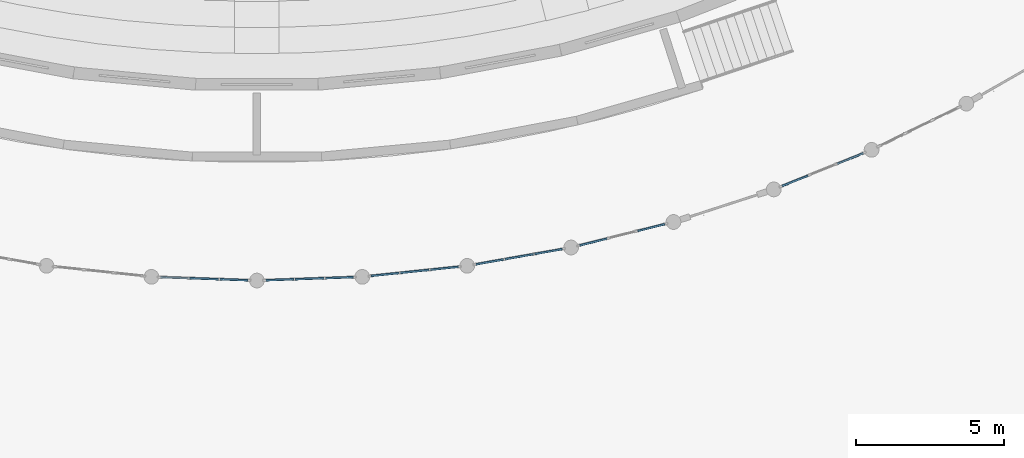
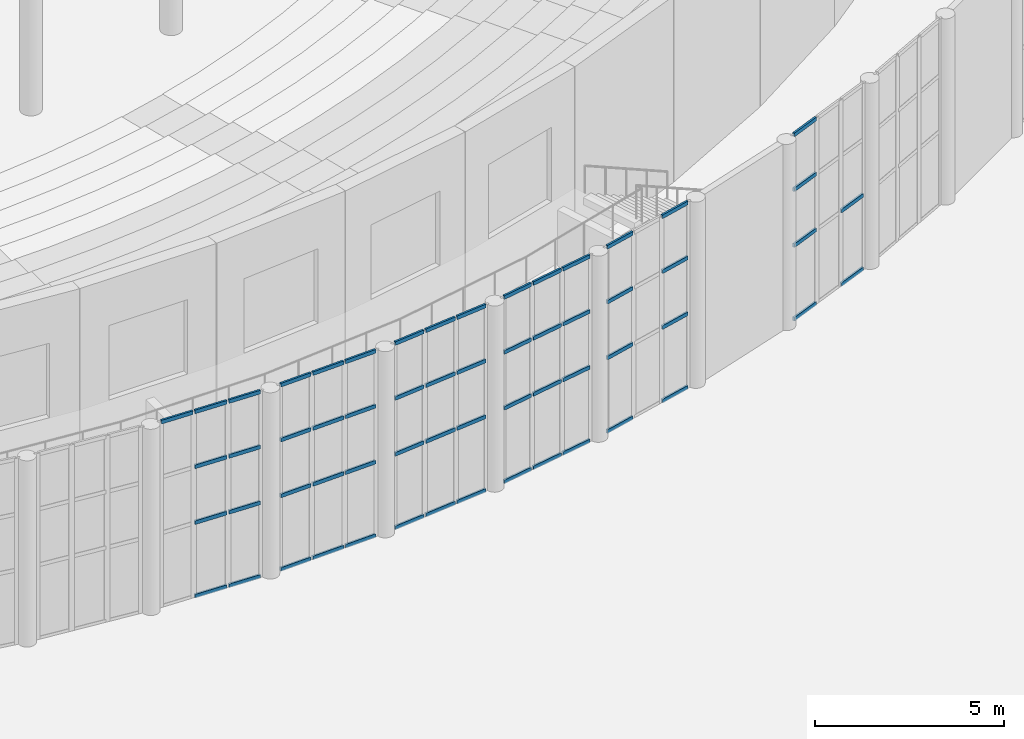
# One storey, part 75 of 210: 59 members, 6 elements without a shape of their own.
"""IFC4 building model written with IfcOpenShell, lengths in metres."""

from ifc_helpers import new_model, si_unit, direction, frame, origin, origin_2d, place, context, subcontext, project, spatial, rectangle, extrude, material, layer, layer_set, material_profile, profile_set, type_object, element, aggregate, save


model = new_model("IFC4")

# Units and contexts
model_context = context("Model", 3, precision=1e-05, world=origin(), true_north=direction((0.0, 1.0)))
body_context = subcontext(model_context, "Body", "Model", "MODEL_VIEW")
ifc_project = project(units=[si_unit("LENGTHUNIT", "METRE"), si_unit("AREAUNIT", "SQUARE_METRE"), si_unit("VOLUMEUNIT", "CUBIC_METRE"), si_unit("PLANEANGLEUNIT", "RADIAN"), si_unit("MASSUNIT", "GRAM", prefix="KILO")], contexts=[model_context])

# Site, building, storey
site_placement = place(None, origin())
site = spatial("IfcSite", under=ifc_project, at=site_placement, CompositionType="ELEMENT")
building_placement = place(site_placement, origin())
building = spatial("IfcBuilding", under=site, at=building_placement, Name="Rain Tree Exposition and Congress Centre", CompositionType="ELEMENT")
storey_placement = place(building_placement, origin())
storey = spatial("IfcBuildingStorey", under=building, at=storey_placement, Name="L00", CompositionType="ELEMENT", Elevation=0.0)

# Curtain wall, members
ifc_material_1 = material(Name="Aluminium", Category="aluminium")
ifc_layer = layer(ifc_material_1, 0.10009765625)
ifc_layer_set = layer_set([ifc_layer], Name="Aluminium")
curtain_wall_type = type_object("IfcCurtainWallType", Name="Curtain wall congress", PredefinedType="NOTDEFINED", material=ifc_layer_set)
curtain_wall_1_placement = place(storey_placement, origin())
curtain_wall_1 = element("IfcCurtainWall", 1, at=curtain_wall_1_placement, inside=storey, type_object=curtain_wall_type, Name="Curtain wall L00 bay 10", PredefinedType="NOTDEFINED")
ifc_material_2 = material(Name="Aluminium", Category="aluminium")
ifc_material_profile = material_profile(ifc_material_2, rectangle(XDim=0.06005859375, YDim=0.1201171875, at=origin_2d()), Name="AL 60x120")
ifc_profile_set = profile_set([ifc_material_profile], Name="Aluminium")
member_type = type_object("IfcMemberType", Name="Curtain wall transom 60x120 congress", PredefinedType="USERDEFINED", material=ifc_profile_set)
member_1_placement = place(storey_placement, frame((198.33837890625, 16.114013671875, 5.969970703125), z_axis=(0.999386919937, -0.035011201901, 0.0), x_axis=(0.035011201901, 0.999386919937, 0.0)))
member_1 = element("IfcMember", 2, at=member_1_placement, type_object=member_type, Name="CWG110 transom 1.4", ObjectType="TRANSOM", PredefinedType="USERDEFINED", context=body_context, shape_type="SweptSolid", body=[
    extrude(rectangle(XDim=0.06005859375, YDim=0.1201171875, at=origin_2d()), origin(), (0.0, 0.0, 1.0), 0.934326171875),
])
member_2_placement = place(storey_placement, frame((199.332275390625, 16.0791015625, 0.030029296875), z_axis=(0.999389653944, -0.03493307301, 0.0), x_axis=(0.03493307301, 0.999389653944, 0.0)))
member_2 = element("IfcMember", 3, at=member_2_placement, type_object=member_type, Name="CWG110 transom 2.1", ObjectType="TRANSOM", PredefinedType="USERDEFINED", context=body_context, shape_type="SweptSolid", body=[
    extrude(rectangle(XDim=0.06005859375, YDim=0.1201171875, at=origin_2d()), origin(), (0.0, 0.0, 1.0), 0.96435546875),
])
member_3_placement = place(storey_placement, frame((199.332275390625, 16.0791015625, 2.39990234375), z_axis=(0.999389653944, -0.03493307301, 0.0), x_axis=(0.03493307301, 0.999389653944, 0.0)))
member_3 = element("IfcMember", 4, at=member_3_placement, type_object=member_type, Name="CWG110 transom 2.2", ObjectType="TRANSOM", PredefinedType="USERDEFINED", context=body_context, shape_type="SweptSolid", body=[
    extrude(rectangle(XDim=0.06005859375, YDim=0.1201171875, at=origin_2d()), origin(), (0.0, 0.0, 1.0), 0.96435546875),
])
member_4_placement = place(storey_placement, frame((199.332275390625, 16.0791015625, 4.199951171875), z_axis=(0.999389653944, -0.03493307301, 0.0), x_axis=(0.03493307301, 0.999389653944, 0.0)))
member_4 = element("IfcMember", 5, at=member_4_placement, type_object=member_type, Name="CWG110 transom 2.3", ObjectType="TRANSOM", PredefinedType="USERDEFINED", context=body_context, shape_type="SweptSolid", body=[
    extrude(rectangle(XDim=0.06005859375, YDim=0.1201171875, at=origin_2d()), origin(), (0.0, 0.0, 1.0), 0.96435546875),
])
member_5_placement = place(storey_placement, frame((199.332275390625, 16.0791015625, 5.969970703125), z_axis=(0.999389653944, -0.03493307301, 0.0), x_axis=(0.03493307301, 0.999389653944, 0.0)))
member_5 = element("IfcMember", 6, at=member_5_placement, type_object=member_type, Name="CWG110 transom 2.4", ObjectType="TRANSOM", PredefinedType="USERDEFINED", context=body_context, shape_type="SweptSolid", body=[
    extrude(rectangle(XDim=0.06005859375, YDim=0.1201171875, at=origin_2d()), origin(), (0.0, 0.0, 1.0), 0.96435546875),
])
member_6_placement = place(storey_placement, frame((200.356201171875, 16.04345703125, 0.030029296875), z_axis=(0.999387240082, -0.035002062251, 0.0), x_axis=(0.035002062251, 0.999387240082, 0.0)))
member_6 = element("IfcMember", 7, at=member_6_placement, type_object=member_type, Name="CWG110 transom 3.1", ObjectType="TRANSOM", PredefinedType="USERDEFINED", context=body_context, shape_type="SweptSolid", body=[
    extrude(rectangle(XDim=0.06005859375, YDim=0.1201171875, at=origin_2d()), origin(), (0.0, 0.0, 1.0), 0.9345703125),
])
member_7_placement = place(storey_placement, frame((200.356201171875, 16.04345703125, 2.39990234375), z_axis=(0.999387240082, -0.035002062251, 0.0), x_axis=(0.035002062251, 0.999387240082, 0.0)))
member_7 = element("IfcMember", 8, at=member_7_placement, type_object=member_type, Name="CWG110 transom 3.2", ObjectType="TRANSOM", PredefinedType="USERDEFINED", context=body_context, shape_type="SweptSolid", body=[
    extrude(rectangle(XDim=0.06005859375, YDim=0.1201171875, at=origin_2d()), origin(), (0.0, 0.0, 1.0), 0.9345703125),
])
member_8_placement = place(storey_placement, frame((200.356201171875, 16.04345703125, 4.199951171875), z_axis=(0.999387240082, -0.035002062251, 0.0), x_axis=(0.035002062251, 0.999387240082, 0.0)))
member_8 = element("IfcMember", 9, at=member_8_placement, type_object=member_type, Name="CWG110 transom 3.3", ObjectType="TRANSOM", PredefinedType="USERDEFINED", context=body_context, shape_type="SweptSolid", body=[
    extrude(rectangle(XDim=0.06005859375, YDim=0.1201171875, at=origin_2d()), origin(), (0.0, 0.0, 1.0), 0.9345703125),
])
member_9_placement = place(storey_placement, frame((200.356201171875, 16.04345703125, 5.969970703125), z_axis=(0.999387240082, -0.035002062251, 0.0), x_axis=(0.035002062251, 0.999387240082, 0.0)))
member_9 = element("IfcMember", 10, at=member_9_placement, type_object=member_type, Name="CWG110 transom 3.4", ObjectType="TRANSOM", PredefinedType="USERDEFINED", context=body_context, shape_type="SweptSolid", body=[
    extrude(rectangle(XDim=0.06005859375, YDim=0.1201171875, at=origin_2d()), origin(), (0.0, 0.0, 1.0), 0.9345703125),
])
aggregate(curtain_wall_1, [member_1, member_2, member_3, member_4, member_5, member_6, member_7, member_8, member_9])

curtain_wall_2_placement = place(storey_placement, origin())
curtain_wall_2 = element("IfcCurtainWall", 11, at=curtain_wall_2_placement, inside=storey, type_object=curtain_wall_type, Name="Curtain wall L00 bay 11", PredefinedType="NOTDEFINED")
member_10_placement = place(storey_placement, frame((201.90966796875, 16.0107421875, 0.030029296875), z_axis=(0.999387240082, 0.035002062251, 0.0), x_axis=(-0.035002062251, 0.999387240082, 0.0)))
member_10 = element("IfcMember", 12, at=member_10_placement, type_object=member_type, Name="CWG111 transom 1.1", ObjectType="TRANSOM", PredefinedType="USERDEFINED", context=body_context, shape_type="SweptSolid", body=[
    extrude(rectangle(XDim=0.06005859375, YDim=0.1201171875, at=origin_2d()), origin(), (0.0, 0.0, 1.0), 0.9345703125),
])
member_11_placement = place(storey_placement, frame((201.90966796875, 16.0107421875, 2.39990234375), z_axis=(0.999387240082, 0.035002062251, 0.0), x_axis=(-0.035002062251, 0.999387240082, 0.0)))
member_11 = element("IfcMember", 13, at=member_11_placement, type_object=member_type, Name="CWG111 transom 1.2", ObjectType="TRANSOM", PredefinedType="USERDEFINED", context=body_context, shape_type="SweptSolid", body=[
    extrude(rectangle(XDim=0.06005859375, YDim=0.1201171875, at=origin_2d()), origin(), (0.0, 0.0, 1.0), 0.9345703125),
])
member_12_placement = place(storey_placement, frame((201.90966796875, 16.0107421875, 4.199951171875), z_axis=(0.999387240082, 0.035002062251, 0.0), x_axis=(-0.035002062251, 0.999387240082, 0.0)))
member_12 = element("IfcMember", 14, at=member_12_placement, type_object=member_type, Name="CWG111 transom 1.3", ObjectType="TRANSOM", PredefinedType="USERDEFINED", context=body_context, shape_type="SweptSolid", body=[
    extrude(rectangle(XDim=0.06005859375, YDim=0.1201171875, at=origin_2d()), origin(), (0.0, 0.0, 1.0), 0.9345703125),
])
member_13_placement = place(storey_placement, frame((201.90966796875, 16.0107421875, 5.969970703125), z_axis=(0.999387240082, 0.035002062251, 0.0), x_axis=(-0.035002062251, 0.999387240082, 0.0)))
member_13 = element("IfcMember", 15, at=member_13_placement, type_object=member_type, Name="CWG111 transom 1.4", ObjectType="TRANSOM", PredefinedType="USERDEFINED", context=body_context, shape_type="SweptSolid", body=[
    extrude(rectangle(XDim=0.06005859375, YDim=0.1201171875, at=origin_2d()), origin(), (0.0, 0.0, 1.0), 0.9345703125),
])
member_14_placement = place(storey_placement, frame((202.90380859375, 16.04541015625, 0.030029296875), z_axis=(0.999389653944, 0.03493307301, 0.0), x_axis=(-0.03493307301, 0.999389653944, 0.0)))
member_14 = element("IfcMember", 16, at=member_14_placement, type_object=member_type, Name="CWG111 transom 2.1", ObjectType="TRANSOM", PredefinedType="USERDEFINED", context=body_context, shape_type="SweptSolid", body=[
    extrude(rectangle(XDim=0.06005859375, YDim=0.1201171875, at=origin_2d()), origin(), (0.0, 0.0, 1.0), 0.96435546875),
])
member_15_placement = place(storey_placement, frame((202.90380859375, 16.04541015625, 2.39990234375), z_axis=(0.999389653944, 0.03493307301, 0.0), x_axis=(-0.03493307301, 0.999389653944, 0.0)))
member_15 = element("IfcMember", 17, at=member_15_placement, type_object=member_type, Name="CWG111 transom 2.2", ObjectType="TRANSOM", PredefinedType="USERDEFINED", context=body_context, shape_type="SweptSolid", body=[
    extrude(rectangle(XDim=0.06005859375, YDim=0.1201171875, at=origin_2d()), origin(), (0.0, 0.0, 1.0), 0.96435546875),
])
member_16_placement = place(storey_placement, frame((202.90380859375, 16.04541015625, 4.199951171875), z_axis=(0.999389653944, 0.03493307301, 0.0), x_axis=(-0.03493307301, 0.999389653944, 0.0)))
member_16 = element("IfcMember", 18, at=member_16_placement, type_object=member_type, Name="CWG111 transom 2.3", ObjectType="TRANSOM", PredefinedType="USERDEFINED", context=body_context, shape_type="SweptSolid", body=[
    extrude(rectangle(XDim=0.06005859375, YDim=0.1201171875, at=origin_2d()), origin(), (0.0, 0.0, 1.0), 0.96435546875),
])
member_17_placement = place(storey_placement, frame((202.90380859375, 16.04541015625, 5.969970703125), z_axis=(0.999389653944, 0.03493307301, 0.0), x_axis=(-0.03493307301, 0.999389653944, 0.0)))
member_17 = element("IfcMember", 19, at=member_17_placement, type_object=member_type, Name="CWG111 transom 2.4", ObjectType="TRANSOM", PredefinedType="USERDEFINED", context=body_context, shape_type="SweptSolid", body=[
    extrude(rectangle(XDim=0.06005859375, YDim=0.1201171875, at=origin_2d()), origin(), (0.0, 0.0, 1.0), 0.96435546875),
])
member_18_placement = place(storey_placement, frame((203.927734375, 16.081298828125, 0.030029296875), z_axis=(0.999387240082, 0.035002062251, 0.0), x_axis=(-0.035002062251, 0.999387240082, 0.0)))
member_18 = element("IfcMember", 20, at=member_18_placement, type_object=member_type, Name="CWG111 transom 3.1", ObjectType="TRANSOM", PredefinedType="USERDEFINED", context=body_context, shape_type="SweptSolid", body=[
    extrude(rectangle(XDim=0.06005859375, YDim=0.1201171875, at=origin_2d()), origin(), (0.0, 0.0, 1.0), 0.9345703125),
])
member_19_placement = place(storey_placement, frame((203.927734375, 16.081298828125, 2.39990234375), z_axis=(0.999387240082, 0.035002062251, 0.0), x_axis=(-0.035002062251, 0.999387240082, 0.0)))
member_19 = element("IfcMember", 21, at=member_19_placement, type_object=member_type, Name="CWG111 transom 3.2", ObjectType="TRANSOM", PredefinedType="USERDEFINED", context=body_context, shape_type="SweptSolid", body=[
    extrude(rectangle(XDim=0.06005859375, YDim=0.1201171875, at=origin_2d()), origin(), (0.0, 0.0, 1.0), 0.9345703125),
])
member_20_placement = place(storey_placement, frame((203.927734375, 16.081298828125, 4.199951171875), z_axis=(0.999387240082, 0.035002062251, 0.0), x_axis=(-0.035002062251, 0.999387240082, 0.0)))
member_20 = element("IfcMember", 22, at=member_20_placement, type_object=member_type, Name="CWG111 transom 3.3", ObjectType="TRANSOM", PredefinedType="USERDEFINED", context=body_context, shape_type="SweptSolid", body=[
    extrude(rectangle(XDim=0.06005859375, YDim=0.1201171875, at=origin_2d()), origin(), (0.0, 0.0, 1.0), 0.9345703125),
])
member_21_placement = place(storey_placement, frame((203.927734375, 16.081298828125, 5.969970703125), z_axis=(0.999387240082, 0.035002062251, 0.0), x_axis=(-0.035002062251, 0.999387240082, 0.0)))
member_21 = element("IfcMember", 23, at=member_21_placement, type_object=member_type, Name="CWG111 transom 3.4", ObjectType="TRANSOM", PredefinedType="USERDEFINED", context=body_context, shape_type="SweptSolid", body=[
    extrude(rectangle(XDim=0.06005859375, YDim=0.1201171875, at=origin_2d()), origin(), (0.0, 0.0, 1.0), 0.9345703125),
])
aggregate(curtain_wall_2, [member_10, member_11, member_12, member_13, member_14, member_15, member_16, member_17, member_18, member_19, member_20, member_21])

curtain_wall_3_placement = place(storey_placement, origin())
curtain_wall_3 = element("IfcCurtainWall", 24, at=curtain_wall_3_placement, inside=storey, type_object=curtain_wall_type, Name="Curtain wall L00 bay 12", PredefinedType="NOTDEFINED")
member_22_placement = place(storey_placement, frame((205.47998046875, 16.1572265625, 0.030029296875), z_axis=(0.994522621152, 0.104521557662, 0.0), x_axis=(-0.104521557662, 0.994522621152, 0.0)))
member_22 = element("IfcMember", 25, at=member_22_placement, type_object=member_type, Name="CWG112 transom 1.1", ObjectType="TRANSOM", PredefinedType="USERDEFINED", context=body_context, shape_type="SweptSolid", body=[
    extrude(rectangle(XDim=0.06005859375, YDim=0.1201171875, at=origin_2d()), origin(), (0.0, 0.0, 1.0), 0.934326171875),
])
member_23_placement = place(storey_placement, frame((205.47998046875, 16.1572265625, 2.39990234375), z_axis=(0.994522621152, 0.104521557662, 0.0), x_axis=(-0.104521557662, 0.994522621152, 0.0)))
member_23 = element("IfcMember", 26, at=member_23_placement, type_object=member_type, Name="CWG112 transom 1.2", ObjectType="TRANSOM", PredefinedType="USERDEFINED", context=body_context, shape_type="SweptSolid", body=[
    extrude(rectangle(XDim=0.06005859375, YDim=0.1201171875, at=origin_2d()), origin(), (0.0, 0.0, 1.0), 0.934326171875),
])
member_24_placement = place(storey_placement, frame((205.47998046875, 16.1572265625, 4.199951171875), z_axis=(0.994522621152, 0.104521557662, 0.0), x_axis=(-0.104521557662, 0.994522621152, 0.0)))
member_24 = element("IfcMember", 27, at=member_24_placement, type_object=member_type, Name="CWG112 transom 1.3", ObjectType="TRANSOM", PredefinedType="USERDEFINED", context=body_context, shape_type="SweptSolid", body=[
    extrude(rectangle(XDim=0.06005859375, YDim=0.1201171875, at=origin_2d()), origin(), (0.0, 0.0, 1.0), 0.934326171875),
])
member_25_placement = place(storey_placement, frame((205.47998046875, 16.1572265625, 5.969970703125), z_axis=(0.994522621152, 0.104521557662, 0.0), x_axis=(-0.104521557662, 0.994522621152, 0.0)))
member_25 = element("IfcMember", 28, at=member_25_placement, type_object=member_type, Name="CWG112 transom 1.4", ObjectType="TRANSOM", PredefinedType="USERDEFINED", context=body_context, shape_type="SweptSolid", body=[
    extrude(rectangle(XDim=0.06005859375, YDim=0.1201171875, at=origin_2d()), origin(), (0.0, 0.0, 1.0), 0.934326171875),
])
member_26_placement = place(storey_placement, frame((206.468994140625, 16.260986328125, 0.030029296875), z_axis=(0.994520699095, 0.10453984442, 0.0), x_axis=(-0.10453984442, 0.994520699095, 0.0)))
member_26 = element("IfcMember", 29, at=member_26_placement, type_object=member_type, Name="CWG112 transom 2.1", ObjectType="TRANSOM", PredefinedType="USERDEFINED", context=body_context, shape_type="SweptSolid", body=[
    extrude(rectangle(XDim=0.06005859375, YDim=0.1201171875, at=origin_2d()), origin(), (0.0, 0.0, 1.0), 0.964599609375),
])
member_27_placement = place(storey_placement, frame((206.468994140625, 16.260986328125, 2.39990234375), z_axis=(0.994520699095, 0.10453984442, 0.0), x_axis=(-0.10453984442, 0.994520699095, 0.0)))
member_27 = element("IfcMember", 30, at=member_27_placement, type_object=member_type, Name="CWG112 transom 2.2", ObjectType="TRANSOM", PredefinedType="USERDEFINED", context=body_context, shape_type="SweptSolid", body=[
    extrude(rectangle(XDim=0.06005859375, YDim=0.1201171875, at=origin_2d()), origin(), (0.0, 0.0, 1.0), 0.964599609375),
])
member_28_placement = place(storey_placement, frame((206.468994140625, 16.260986328125, 4.199951171875), z_axis=(0.994520699095, 0.10453984442, 0.0), x_axis=(-0.10453984442, 0.994520699095, 0.0)))
member_28 = element("IfcMember", 31, at=member_28_placement, type_object=member_type, Name="CWG112 transom 2.3", ObjectType="TRANSOM", PredefinedType="USERDEFINED", context=body_context, shape_type="SweptSolid", body=[
    extrude(rectangle(XDim=0.06005859375, YDim=0.1201171875, at=origin_2d()), origin(), (0.0, 0.0, 1.0), 0.964599609375),
])
member_29_placement = place(storey_placement, frame((206.468994140625, 16.260986328125, 5.969970703125), z_axis=(0.994520699095, 0.10453984442, 0.0), x_axis=(-0.10453984442, 0.994520699095, 0.0)))
member_29 = element("IfcMember", 32, at=member_29_placement, type_object=member_type, Name="CWG112 transom 2.4", ObjectType="TRANSOM", PredefinedType="USERDEFINED", context=body_context, shape_type="SweptSolid", body=[
    extrude(rectangle(XDim=0.06005859375, YDim=0.1201171875, at=origin_2d()), origin(), (0.0, 0.0, 1.0), 0.964599609375),
])
member_30_placement = place(storey_placement, frame((207.48779296875, 16.3681640625, 0.030029296875), z_axis=(0.994525474721, 0.104494402387, 0.0), x_axis=(-0.104494402387, 0.994525474721, 0.0)))
member_30 = element("IfcMember", 33, at=member_30_placement, type_object=member_type, Name="CWG112 transom 3.1", ObjectType="TRANSOM", PredefinedType="USERDEFINED", context=body_context, shape_type="SweptSolid", body=[
    extrude(rectangle(XDim=0.06005859375, YDim=0.1201171875, at=origin_2d()), origin(), (0.0, 0.0, 1.0), 0.9345703125),
])
member_31_placement = place(storey_placement, frame((207.48779296875, 16.3681640625, 2.39990234375), z_axis=(0.994525474721, 0.104494402387, 0.0), x_axis=(-0.104494402387, 0.994525474721, 0.0)))
member_31 = element("IfcMember", 34, at=member_31_placement, type_object=member_type, Name="CWG112 transom 3.2", ObjectType="TRANSOM", PredefinedType="USERDEFINED", context=body_context, shape_type="SweptSolid", body=[
    extrude(rectangle(XDim=0.06005859375, YDim=0.1201171875, at=origin_2d()), origin(), (0.0, 0.0, 1.0), 0.9345703125),
])
member_32_placement = place(storey_placement, frame((207.48779296875, 16.3681640625, 4.199951171875), z_axis=(0.994525474721, 0.104494402387, 0.0), x_axis=(-0.104494402387, 0.994525474721, 0.0)))
member_32 = element("IfcMember", 35, at=member_32_placement, type_object=member_type, Name="CWG112 transom 3.3", ObjectType="TRANSOM", PredefinedType="USERDEFINED", context=body_context, shape_type="SweptSolid", body=[
    extrude(rectangle(XDim=0.06005859375, YDim=0.1201171875, at=origin_2d()), origin(), (0.0, 0.0, 1.0), 0.9345703125),
])
member_33_placement = place(storey_placement, frame((207.48779296875, 16.3681640625, 5.969970703125), z_axis=(0.994525474721, 0.104494402387, 0.0), x_axis=(-0.104494402387, 0.994525474721, 0.0)))
member_33 = element("IfcMember", 36, at=member_33_placement, type_object=member_type, Name="CWG112 transom 3.4", ObjectType="TRANSOM", PredefinedType="USERDEFINED", context=body_context, shape_type="SweptSolid", body=[
    extrude(rectangle(XDim=0.06005859375, YDim=0.1201171875, at=origin_2d()), origin(), (0.0, 0.0, 1.0), 0.9345703125),
])
aggregate(curtain_wall_3, [member_22, member_23, member_24, member_25, member_26, member_27, member_28, member_29, member_30, member_31, member_32, member_33])

curtain_wall_4_placement = place(storey_placement, origin())
curtain_wall_4 = element("IfcCurtainWall", 37, at=curtain_wall_4_placement, inside=storey, type_object=curtain_wall_type, Name="Curtain wall L00 bay 13", PredefinedType="NOTDEFINED")
member_34_placement = place(storey_placement, frame((209.031005859375, 16.552001953125, 0.030029296875), z_axis=(0.984796704621, 0.173710824555, 0.0), x_axis=(-0.173710824555, 0.984796704621, 0.0)))
member_34 = element("IfcMember", 38, at=member_34_placement, type_object=member_type, Name="CWG113 transom 1.1", ObjectType="TRANSOM", PredefinedType="USERDEFINED", context=body_context, shape_type="SweptSolid", body=[
    extrude(rectangle(XDim=0.06005859375, YDim=0.1201171875, at=origin_2d()), origin(), (0.0, 0.0, 1.0), 0.9345703125),
])
member_35_placement = place(storey_placement, frame((209.031005859375, 16.552001953125, 2.39990234375), z_axis=(0.984796704621, 0.173710824555, 0.0), x_axis=(-0.173710824555, 0.984796704621, 0.0)))
member_35 = element("IfcMember", 39, at=member_35_placement, type_object=member_type, Name="CWG113 transom 1.2", ObjectType="TRANSOM", PredefinedType="USERDEFINED", context=body_context, shape_type="SweptSolid", body=[
    extrude(rectangle(XDim=0.06005859375, YDim=0.1201171875, at=origin_2d()), origin(), (0.0, 0.0, 1.0), 0.9345703125),
])
member_36_placement = place(storey_placement, frame((209.031005859375, 16.552001953125, 4.199951171875), z_axis=(0.984796704621, 0.173710824555, 0.0), x_axis=(-0.173710824555, 0.984796704621, 0.0)))
member_36 = element("IfcMember", 40, at=member_36_placement, type_object=member_type, Name="CWG113 transom 1.3", ObjectType="TRANSOM", PredefinedType="USERDEFINED", context=body_context, shape_type="SweptSolid", body=[
    extrude(rectangle(XDim=0.06005859375, YDim=0.1201171875, at=origin_2d()), origin(), (0.0, 0.0, 1.0), 0.9345703125),
])
member_37_placement = place(storey_placement, frame((209.031005859375, 16.552001953125, 5.969970703125), z_axis=(0.984796704621, 0.173710824555, 0.0), x_axis=(-0.173710824555, 0.984796704621, 0.0)))
member_37 = element("IfcMember", 41, at=member_37_placement, type_object=member_type, Name="CWG113 transom 1.4", ObjectType="TRANSOM", PredefinedType="USERDEFINED", context=body_context, shape_type="SweptSolid", body=[
    extrude(rectangle(XDim=0.06005859375, YDim=0.1201171875, at=origin_2d()), origin(), (0.0, 0.0, 1.0), 0.9345703125),
])
member_38_placement = place(storey_placement, frame((210.010498046875, 16.724853515625, 0.030029296875), z_axis=(0.984811573848, 0.173626507237, 0.0), x_axis=(-0.173626507237, 0.984811573848, 0.0)))
member_38 = element("IfcMember", 42, at=member_38_placement, type_object=member_type, Name="CWG113 transom 2.1", ObjectType="TRANSOM", PredefinedType="USERDEFINED", context=body_context, shape_type="SweptSolid", body=[
    extrude(rectangle(XDim=0.06005859375, YDim=0.1201171875, at=origin_2d()), origin(), (0.0, 0.0, 1.0), 0.964599609375),
])
member_39_placement = place(storey_placement, frame((210.010498046875, 16.724853515625, 2.39990234375), z_axis=(0.984811573848, 0.173626507237, 0.0), x_axis=(-0.173626507237, 0.984811573848, 0.0)))
member_39 = element("IfcMember", 43, at=member_39_placement, type_object=member_type, Name="CWG113 transom 2.2", ObjectType="TRANSOM", PredefinedType="USERDEFINED", context=body_context, shape_type="SweptSolid", body=[
    extrude(rectangle(XDim=0.06005859375, YDim=0.1201171875, at=origin_2d()), origin(), (0.0, 0.0, 1.0), 0.964599609375),
])
member_40_placement = place(storey_placement, frame((210.010498046875, 16.724853515625, 4.199951171875), z_axis=(0.984811573848, 0.173626507237, 0.0), x_axis=(-0.173626507237, 0.984811573848, 0.0)))
member_40 = element("IfcMember", 44, at=member_40_placement, type_object=member_type, Name="CWG113 transom 2.3", ObjectType="TRANSOM", PredefinedType="USERDEFINED", context=body_context, shape_type="SweptSolid", body=[
    extrude(rectangle(XDim=0.06005859375, YDim=0.1201171875, at=origin_2d()), origin(), (0.0, 0.0, 1.0), 0.964599609375),
])
member_41_placement = place(storey_placement, frame((210.010498046875, 16.724853515625, 5.969970703125), z_axis=(0.984811573848, 0.173626507237, 0.0), x_axis=(-0.173626507237, 0.984811573848, 0.0)))
member_41 = element("IfcMember", 45, at=member_41_placement, type_object=member_type, Name="CWG113 transom 2.4", ObjectType="TRANSOM", PredefinedType="USERDEFINED", context=body_context, shape_type="SweptSolid", body=[
    extrude(rectangle(XDim=0.06005859375, YDim=0.1201171875, at=origin_2d()), origin(), (0.0, 0.0, 1.0), 0.964599609375),
])
member_42_placement = place(storey_placement, frame((211.01953125, 16.902587890625, 0.030029296875), z_axis=(0.984788819169, 0.173755522618, 0.0), x_axis=(-0.173755522618, 0.984788819169, 0.0)))
member_42 = element("IfcMember", 46, at=member_42_placement, type_object=member_type, Name="CWG113 transom 3.1", ObjectType="TRANSOM", PredefinedType="USERDEFINED", context=body_context, shape_type="SweptSolid", body=[
    extrude(rectangle(XDim=0.06005859375, YDim=0.1201171875, at=origin_2d()), origin(), (0.0, 0.0, 1.0), 0.934326171875),
])
member_43_placement = place(storey_placement, frame((211.01953125, 16.902587890625, 2.39990234375), z_axis=(0.984788819169, 0.173755522618, 0.0), x_axis=(-0.173755522618, 0.984788819169, 0.0)))
member_43 = element("IfcMember", 47, at=member_43_placement, type_object=member_type, Name="CWG113 transom 3.2", ObjectType="TRANSOM", PredefinedType="USERDEFINED", context=body_context, shape_type="SweptSolid", body=[
    extrude(rectangle(XDim=0.06005859375, YDim=0.1201171875, at=origin_2d()), origin(), (0.0, 0.0, 1.0), 0.934326171875),
])
member_44_placement = place(storey_placement, frame((211.01953125, 16.902587890625, 4.199951171875), z_axis=(0.984788819169, 0.173755522618, 0.0), x_axis=(-0.173755522618, 0.984788819169, 0.0)))
member_44 = element("IfcMember", 48, at=member_44_placement, type_object=member_type, Name="CWG113 transom 3.3", ObjectType="TRANSOM", PredefinedType="USERDEFINED", context=body_context, shape_type="SweptSolid", body=[
    extrude(rectangle(XDim=0.06005859375, YDim=0.1201171875, at=origin_2d()), origin(), (0.0, 0.0, 1.0), 0.934326171875),
])
member_45_placement = place(storey_placement, frame((211.01953125, 16.902587890625, 5.969970703125), z_axis=(0.984788819169, 0.173755522618, 0.0), x_axis=(-0.173755522618, 0.984788819169, 0.0)))
member_45 = element("IfcMember", 49, at=member_45_placement, type_object=member_type, Name="CWG113 transom 3.4", ObjectType="TRANSOM", PredefinedType="USERDEFINED", context=body_context, shape_type="SweptSolid", body=[
    extrude(rectangle(XDim=0.06005859375, YDim=0.1201171875, at=origin_2d()), origin(), (0.0, 0.0, 1.0), 0.934326171875),
])
aggregate(curtain_wall_4, [member_34, member_35, member_36, member_37, member_38, member_39, member_40, member_41, member_42, member_43, member_44, member_45])

curtain_wall_5_placement = place(storey_placement, origin())
curtain_wall_5 = element("IfcCurtainWall", 50, at=curtain_wall_5_placement, inside=storey, type_object=curtain_wall_type, Name="Curtain wall L00 bay 14", PredefinedType="NOTDEFINED")
member_46_placement = place(storey_placement, frame((212.5458984375, 17.19384765625, 0.030029296875), z_axis=(0.970295984, 0.241920861923, 0.0), x_axis=(-0.241920861923, 0.970295984, 0.0)))
member_46 = element("IfcMember", 51, at=member_46_placement, type_object=member_type, Name="CWG114 transom 1.1", ObjectType="TRANSOM", PredefinedType="USERDEFINED", context=body_context, shape_type="SweptSolid", body=[
    extrude(rectangle(XDim=0.06005859375, YDim=0.1201171875, at=origin_2d()), origin(), (0.0, 0.0, 1.0), 0.9345703125),
])
member_47_placement = place(storey_placement, frame((212.5458984375, 17.19384765625, 2.39990234375), z_axis=(0.970295984, 0.241920861923, 0.0), x_axis=(-0.241920861923, 0.970295984, 0.0)))
member_47 = element("IfcMember", 52, at=member_47_placement, type_object=member_type, Name="CWG114 transom 1.2", ObjectType="TRANSOM", PredefinedType="USERDEFINED", context=body_context, shape_type="SweptSolid", body=[
    extrude(rectangle(XDim=0.06005859375, YDim=0.1201171875, at=origin_2d()), origin(), (0.0, 0.0, 1.0), 0.9345703125),
])
member_48_placement = place(storey_placement, frame((212.5458984375, 17.19384765625, 4.199951171875), z_axis=(0.970295984, 0.241920861923, 0.0), x_axis=(-0.241920861923, 0.970295984, 0.0)))
member_48 = element("IfcMember", 53, at=member_48_placement, type_object=member_type, Name="CWG114 transom 1.3", ObjectType="TRANSOM", PredefinedType="USERDEFINED", context=body_context, shape_type="SweptSolid", body=[
    extrude(rectangle(XDim=0.06005859375, YDim=0.1201171875, at=origin_2d()), origin(), (0.0, 0.0, 1.0), 0.9345703125),
])
member_49_placement = place(storey_placement, frame((212.5458984375, 17.19384765625, 5.969970703125), z_axis=(0.970295984, 0.241920861923, 0.0), x_axis=(-0.241920861923, 0.970295984, 0.0)))
member_49 = element("IfcMember", 54, at=member_49_placement, type_object=member_type, Name="CWG114 transom 1.4", ObjectType="TRANSOM", PredefinedType="USERDEFINED", context=body_context, shape_type="SweptSolid", body=[
    extrude(rectangle(XDim=0.06005859375, YDim=0.1201171875, at=origin_2d()), origin(), (0.0, 0.0, 1.0), 0.9345703125),
])
member_50_placement = place(storey_placement, frame((214.505126953125, 17.682373046875, 0.030029296875), z_axis=(0.970295984, 0.241920861923, 0.0), x_axis=(-0.241920861923, 0.970295984, 0.0)))
member_50 = element("IfcMember", 55, at=member_50_placement, type_object=member_type, Name="CWG114 transom 3.1", ObjectType="TRANSOM", PredefinedType="USERDEFINED", context=body_context, shape_type="SweptSolid", body=[
    extrude(rectangle(XDim=0.06005859375, YDim=0.1201171875, at=origin_2d()), origin(), (0.0, 0.0, 1.0), 0.9345703125),
])
member_51_placement = place(storey_placement, frame((214.505126953125, 17.682373046875, 2.39990234375), z_axis=(0.970295984, 0.241920861923, 0.0), x_axis=(-0.241920861923, 0.970295984, 0.0)))
member_51 = element("IfcMember", 56, at=member_51_placement, type_object=member_type, Name="CWG114 transom 3.2", ObjectType="TRANSOM", PredefinedType="USERDEFINED", context=body_context, shape_type="SweptSolid", body=[
    extrude(rectangle(XDim=0.06005859375, YDim=0.1201171875, at=origin_2d()), origin(), (0.0, 0.0, 1.0), 0.9345703125),
])
member_52_placement = place(storey_placement, frame((214.505126953125, 17.682373046875, 4.199951171875), z_axis=(0.970295984, 0.241920861923, 0.0), x_axis=(-0.241920861923, 0.970295984, 0.0)))
member_52 = element("IfcMember", 57, at=member_52_placement, type_object=member_type, Name="CWG114 transom 3.3", ObjectType="TRANSOM", PredefinedType="USERDEFINED", context=body_context, shape_type="SweptSolid", body=[
    extrude(rectangle(XDim=0.06005859375, YDim=0.1201171875, at=origin_2d()), origin(), (0.0, 0.0, 1.0), 0.9345703125),
])
member_53_placement = place(storey_placement, frame((214.505126953125, 17.682373046875, 5.969970703125), z_axis=(0.970295984, 0.241920861923, 0.0), x_axis=(-0.241920861923, 0.970295984, 0.0)))
member_53 = element("IfcMember", 58, at=member_53_placement, type_object=member_type, Name="CWG114 transom 3.4", ObjectType="TRANSOM", PredefinedType="USERDEFINED", context=body_context, shape_type="SweptSolid", body=[
    extrude(rectangle(XDim=0.06005859375, YDim=0.1201171875, at=origin_2d()), origin(), (0.0, 0.0, 1.0), 0.9345703125),
])
aggregate(curtain_wall_5, [member_46, member_47, member_48, member_49, member_50, member_51, member_52, member_53])

curtain_wall_6_placement = place(storey_placement, origin())
curtain_wall_6 = element("IfcCurtainWall", 59, at=curtain_wall_6_placement, inside=storey, type_object=curtain_wall_type, Name="Curtain wall L00 bay 16", PredefinedType="NOTDEFINED")
member_54_placement = place(storey_placement, frame((219.39892578125, 19.203857421875, 0.030029296875), z_axis=(0.927173788996, 0.374631505613, 0.0), x_axis=(-0.374631505613, 0.927173788996, 0.0)))
member_54 = element("IfcMember", 60, at=member_54_placement, type_object=member_type, Name="CWG116 transom 1.1", ObjectType="TRANSOM", PredefinedType="USERDEFINED", context=body_context, shape_type="SweptSolid", body=[
    extrude(rectangle(XDim=0.06005859375, YDim=0.1201171875, at=origin_2d()), origin(), (0.0, 0.0, 1.0), 0.9345703125),
])
member_55_placement = place(storey_placement, frame((219.39892578125, 19.203857421875, 2.39990234375), z_axis=(0.927173788996, 0.374631505613, 0.0), x_axis=(-0.374631505613, 0.927173788996, 0.0)))
member_55 = element("IfcMember", 61, at=member_55_placement, type_object=member_type, Name="CWG116 transom 1.2", ObjectType="TRANSOM", PredefinedType="USERDEFINED", context=body_context, shape_type="SweptSolid", body=[
    extrude(rectangle(XDim=0.06005859375, YDim=0.1201171875, at=origin_2d()), origin(), (0.0, 0.0, 1.0), 0.9345703125),
])
member_56_placement = place(storey_placement, frame((219.39892578125, 19.203857421875, 4.199951171875), z_axis=(0.927173788996, 0.374631505613, 0.0), x_axis=(-0.374631505613, 0.927173788996, 0.0)))
member_56 = element("IfcMember", 62, at=member_56_placement, type_object=member_type, Name="CWG116 transom 1.3", ObjectType="TRANSOM", PredefinedType="USERDEFINED", context=body_context, shape_type="SweptSolid", body=[
    extrude(rectangle(XDim=0.06005859375, YDim=0.1201171875, at=origin_2d()), origin(), (0.0, 0.0, 1.0), 0.9345703125),
])
member_57_placement = place(storey_placement, frame((219.39892578125, 19.203857421875, 5.969970703125), z_axis=(0.927173788996, 0.374631505613, 0.0), x_axis=(-0.374631505613, 0.927173788996, 0.0)))
member_57 = element("IfcMember", 63, at=member_57_placement, type_object=member_type, Name="CWG116 transom 1.4", ObjectType="TRANSOM", PredefinedType="USERDEFINED", context=body_context, shape_type="SweptSolid", body=[
    extrude(rectangle(XDim=0.06005859375, YDim=0.1201171875, at=origin_2d()), origin(), (0.0, 0.0, 1.0), 0.9345703125),
])
member_58_placement = place(storey_placement, frame((221.27099609375, 19.960205078125, 0.030029296875), z_axis=(0.927173788996, 0.374631505613, 0.0), x_axis=(-0.374631505613, 0.927173788996, 0.0)))
member_58 = element("IfcMember", 64, at=member_58_placement, type_object=member_type, Name="CWG116 transom 3.1", ObjectType="TRANSOM", PredefinedType="USERDEFINED", context=body_context, shape_type="SweptSolid", body=[
    extrude(rectangle(XDim=0.06005859375, YDim=0.1201171875, at=origin_2d()), origin(), (0.0, 0.0, 1.0), 0.9345703125),
])
member_59_placement = place(storey_placement, frame((221.27099609375, 19.960205078125, 2.39990234375), z_axis=(0.927173788996, 0.374631505613, 0.0), x_axis=(-0.374631505613, 0.927173788996, 0.0)))
member_59 = element("IfcMember", 65, at=member_59_placement, type_object=member_type, Name="CWG116 transom 3.2", ObjectType="TRANSOM", PredefinedType="USERDEFINED", context=body_context, shape_type="SweptSolid", body=[
    extrude(rectangle(XDim=0.06005859375, YDim=0.1201171875, at=origin_2d()), origin(), (0.0, 0.0, 1.0), 0.9345703125),
])
aggregate(curtain_wall_6, [member_54, member_55, member_56, member_57, member_58, member_59])

save(model, "model.ifc")
